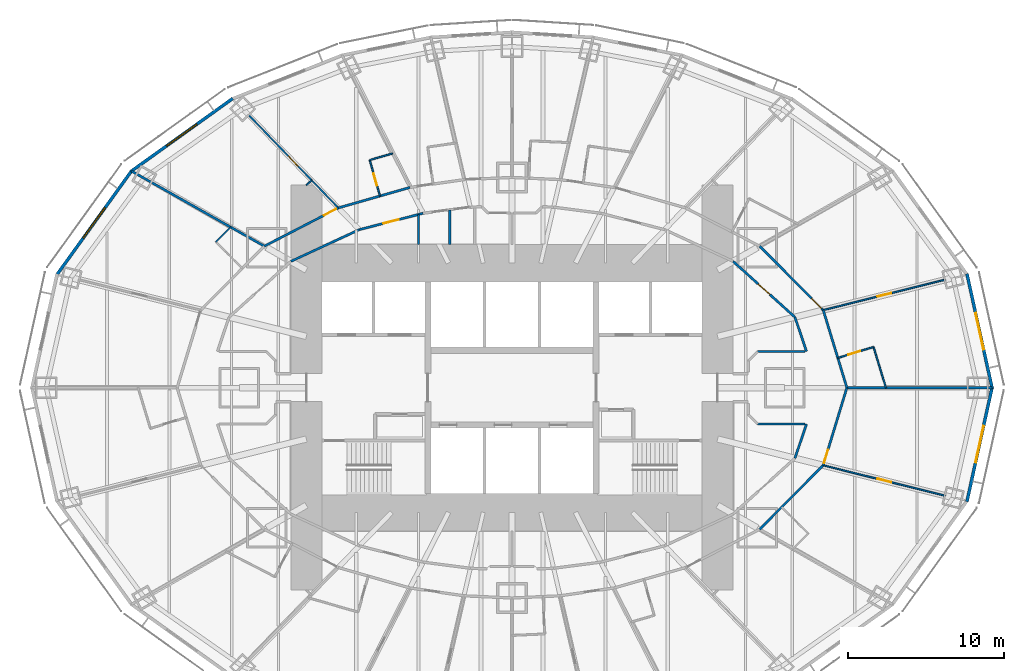
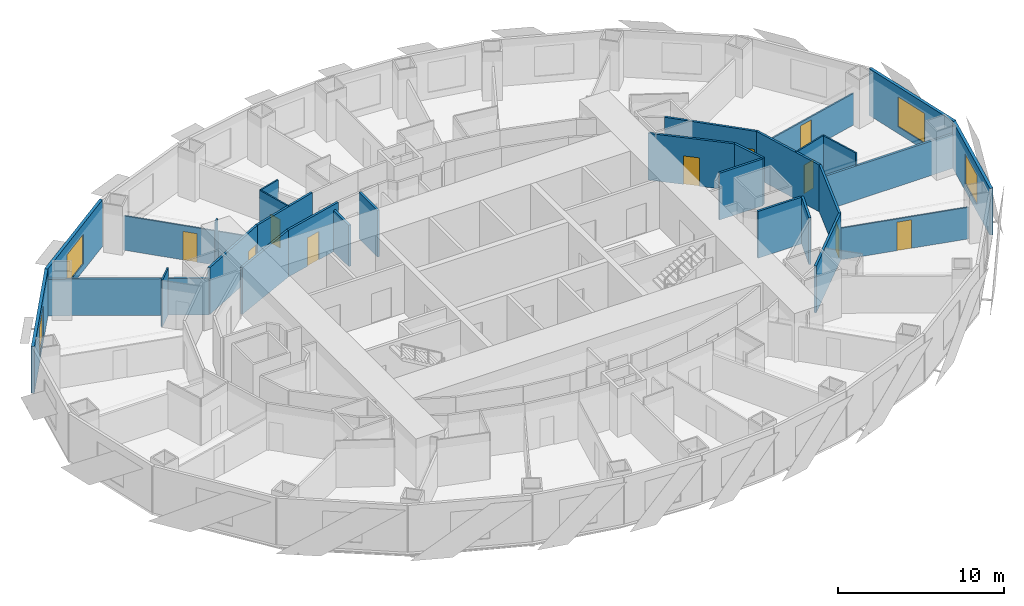
# One storey, part 8 of 15: 30 walls, 10 doors, 4 windows, 14 openings.
"""IFC4 building model written with IfcOpenShell, lengths in metres."""

import ifcopenshell
import ifcopenshell.guid

model = None  # the IFC model being written
_history = None  # IfcOwnerHistory: only IFC2X3 demands one
_inside = {}  # id of a spatial element -> (the spatial element, [elements in it])
_under = {}  # id of a project, library or spatial element -> (it, [spatial elements below it])
_declared = {}  # id of a project -> (the project, [libraries it declares])
_typed = {}  # id of a type object -> (the type object, [elements of that type])
_made_of = {}  # id of a material, layer set ... -> (it, [elements and type objects made of it])


def new_model(schema):
    """Start an empty IFC model of exactly this schema.

    Asked for "IFC4X3", IfcOpenShell would pick the latest addendum, in which some entities
    have other attributes; the version numbers below select the first issue.
    IFC2X3 requires an IfcOwnerHistory on every rooted entity: one is made here for all.
    """
    global model, _history
    if schema == "IFC4X3":
        model = ifcopenshell.file(schema_version=(4, 3, 0, 0))
    else:
        model = ifcopenshell.file(schema=schema)
    _inside.clear()
    _under.clear()
    _declared.clear()
    _typed.clear()
    _made_of.clear()
    _history = None
    if model.schema == "IFC2X3":
        org = make("IfcOrganization", Name="unknown")
        user = make(
            "IfcPersonAndOrganization",
            ThePerson=make("IfcPerson", FamilyName="unknown"),
            TheOrganization=org,
        )
        app = make(
            "IfcApplication",
            ApplicationDeveloper=org,
            Version="unknown",
            ApplicationFullName="unknown",
            ApplicationIdentifier="unknown",
        )
        _history = make(
            "IfcOwnerHistory",
            OwningUser=user,
            OwningApplication=app,
            ChangeAction="ADDED",
            CreationDate=0,
        )
    return model


def make(cls, **values):
    """One entity of the class cls with the attributes given. An attribute that is None is left unset."""
    return model.create_entity(
        cls, **{name: value for name, value in values.items() if value is not None}
    )


def rooted(cls, **values):
    """An entity with a GlobalId (a new one), such as an element, a storey or a relation."""
    return make(cls, GlobalId=ifcopenshell.guid.new(), OwnerHistory=_history, **values)


def si_unit(unit_type, name, prefix=None):
    """IfcSIUnit, for example si_unit("LENGTHUNIT", "METRE", prefix="MILLI")."""
    return make("IfcSIUnit", UnitType=unit_type, Prefix=prefix, Name=name)


def assignment(units):
    """IfcUnitAssignment: the units of a project."""
    return None if units is None else make("IfcUnitAssignment", Units=units)


def point(xyz):
    """IfcCartesianPoint."""
    return None if xyz is None else make("IfcCartesianPoint", Coordinates=xyz)


def direction(xyz):
    """IfcDirection."""
    return None if xyz is None else make("IfcDirection", DirectionRatios=xyz)


def frame(location, z_axis=None, x_axis=None):
    """IfcAxis2Placement3D, a coordinate frame: its origin and axes. An axis left out is left unset."""
    return make(
        "IfcAxis2Placement3D",
        Location=point(location),
        Axis=direction(z_axis),
        RefDirection=direction(x_axis),
    )


def frame_2d(location, x_axis=None):
    """IfcAxis2Placement2D, a coordinate frame in the plane: its origin and x axis."""
    return make(
        "IfcAxis2Placement2D", Location=point(location), RefDirection=direction(x_axis)
    )


def origin():
    """The frame at (0, 0, 0) with its axes left unset."""
    return frame((0.0, 0.0, 0.0))


def place(relative_to, where):
    """IfcLocalPlacement: puts the frame where relative to a parent placement (None: the world)."""
    return make(
        "IfcLocalPlacement", PlacementRelTo=relative_to, RelativePlacement=where
    )


def context(
    kind, dimensions, precision=None, world=None, true_north=None, identifier=None
):
    """IfcGeometricRepresentationContext, for example the 3D "Model" context."""
    return make(
        "IfcGeometricRepresentationContext",
        ContextIdentifier=identifier,
        ContextType=kind,
        CoordinateSpaceDimension=dimensions,
        Precision=precision,
        WorldCoordinateSystem=world,
        TrueNorth=true_north,
    )


def subcontext(parent, identifier, kind, view, scale=None):
    """IfcGeometricRepresentationSubContext, for example "Body" below "Model"."""
    return make(
        "IfcGeometricRepresentationSubContext",
        ContextIdentifier=identifier,
        ContextType=kind,
        ParentContext=parent,
        TargetScale=scale,
        TargetView=view,
    )


def project(units=None, contexts=None):
    """IfcProject with its units and contexts."""
    return rooted(
        "IfcProject",
        Name="project",
        RepresentationContexts=contexts,
        UnitsInContext=assignment(units),
    )


def spatial(cls, under=None, at=None, **own):
    """A site, building, storey or space (cls), placed at a placement, below another one or the project."""
    s = rooted(cls, ObjectPlacement=at, **own)
    if under is not None:
        _under.setdefault(under.id(), (under, []))[1].append(s)
    return s


def profile(cls, at=None, kind="AREA", **sizes):
    """A parametric profile (cls). Its sizes go by their IFC names, for example OverallWidth=200.0."""
    return make(cls, ProfileType=kind, Position=at, **sizes)


def rectangle(**sizes):
    """IfcRectangleProfileDef."""
    return profile("IfcRectangleProfileDef", **sizes)


def extrude(swept, where, along, depth):
    """IfcExtrudedAreaSolid: the profile swept, set in the frame where, extruded along a direction by depth."""
    return make(
        "IfcExtrudedAreaSolid",
        SweptArea=swept,
        Position=where,
        ExtrudedDirection=direction(along),
        Depth=depth,
    )


def shape(context_of_items, identifier, shape_type, items):
    """IfcShapeRepresentation: the items that make up one representation, for example the "Body"."""
    return make(
        "IfcShapeRepresentation",
        ContextOfItems=context_of_items,
        RepresentationIdentifier=identifier,
        RepresentationType=shape_type,
        Items=items,
    )


def material(Name=None, Category=None):
    """IfcMaterial."""
    return make("IfcMaterial", Name=Name, Category=Category)


def layer(
    of_material, thickness, ventilated=None, Name=None, Category=None, Priority=None
):
    """IfcMaterialLayer: one layer of a wall or slab, of a material (None: an air gap)."""
    return make(
        "IfcMaterialLayer",
        Material=of_material,
        LayerThickness=thickness,
        IsVentilated=ventilated,
        Name=Name,
        Category=Category,
        Priority=Priority,
    )


def layer_set(layers, Name=None):
    """IfcMaterialLayerSet."""
    return make("IfcMaterialLayerSet", MaterialLayers=layers, LayerSetName=Name)


def made_of(thing, what):
    """Note that an element or type object is made of a material, layer set ...; save() writes the relation."""
    if what is not None:
        _made_of.setdefault(what.id(), (what, []))[1].append(thing)
    return thing


def type_object(cls, material=None, **own):
    """A type object (cls), such as IfcWallType, which elements share."""
    return made_of(rooted(cls, **own), material)


def element(
    cls,
    number,
    at=None,
    inside=None,
    cuts=None,
    type_object=None,
    material=None,
    context=None,
    identifier="Body",
    shape_type=None,
    held_by="IfcProductDefinitionShape",
    body=None,
    shapes=None,
    **own,
):
    """One element of the class cls, such as IfcWall. Its Tag is "e" and its number.

    at: its placement. inside: the storey or other place that contains it. cuts: it is an
    opening in that element (IfcRelVoidsElement). A single representation is given by context,
    identifier, shape_type and body (its items); several are given by shapes. held_by: the class
    of the entity that holds the representations. save() writes the other relations.
    """
    e = rooted(cls, Tag="e%d" % number, ObjectPlacement=at, **own)
    if body is not None:
        shapes = [shape(context, identifier, shape_type, body)]
    if shapes is not None:
        e.Representation = make(held_by, Representations=shapes)
    if inside is not None:
        _inside.setdefault(inside.id(), (inside, []))[1].append(e)
    if cuts is not None:
        rooted(
            "IfcRelVoidsElement", RelatingBuildingElement=cuts, RelatedOpeningElement=e
        )
    if type_object is not None:
        _typed.setdefault(type_object.id(), (type_object, []))[1].append(e)
    return made_of(e, material)


def fill(opening, filler):
    """IfcRelFillsElement: the door or window that sits in an opening."""
    return rooted(
        "IfcRelFillsElement",
        RelatingOpeningElement=opening,
        RelatedBuildingElement=filler,
    )


def aggregate(whole, parts):
    """IfcRelAggregates: a whole, such as a stair, and the parts it consists of."""
    return rooted("IfcRelAggregates", RelatingObject=whole, RelatedObjects=parts)


def save(model, path):
    """Write the relations noted so far, then the file.

    IfcRelAggregates (storeys below a building ...), IfcRelContainedInSpatialStructure (elements
    in a storey), IfcRelDefinesByType, IfcRelAssociatesMaterial and IfcRelDeclares: one each for
    every whole, place, type object, material and project.
    """
    for whole, parts in _under.values():
        aggregate(whole, parts)
    for where, things in _inside.values():
        rooted(
            "IfcRelContainedInSpatialStructure",
            RelatedElements=things,
            RelatingStructure=where,
        )
    for kind, things in _typed.values():
        rooted("IfcRelDefinesByType", RelatedObjects=things, RelatingType=kind)
    for what, things in _made_of.values():
        rooted("IfcRelAssociatesMaterial", RelatedObjects=things, RelatingMaterial=what)
    for by, libraries in _declared.values():
        rooted("IfcRelDeclares", RelatingContext=by, RelatedDefinitions=libraries)
    model.write(path)


model = new_model("IFC4")

# Units and contexts
model_context = context("Model", 3, precision=1e-05, world=origin(), true_north=direction((0.0, 1.0)))
body_context = subcontext(model_context, "Body", "Model", "MODEL_VIEW")
ifc_project = project(units=[si_unit("LENGTHUNIT", "METRE"), si_unit("AREAUNIT", "SQUARE_METRE"), si_unit("VOLUMEUNIT", "CUBIC_METRE"), si_unit("PLANEANGLEUNIT", "RADIAN"), si_unit("MASSUNIT", "GRAM", prefix="KILO")], contexts=[model_context])

# Site, building, storey
site_placement = place(None, origin())
site = spatial("IfcSite", under=ifc_project, at=site_placement, CompositionType="ELEMENT")
building_placement = place(site_placement, origin())
building = spatial("IfcBuilding", under=site, at=building_placement, Name="Lantaw Convention Tower", CompositionType="ELEMENT")
storey_placement = place(building_placement, frame((0.0, 0.0, 55.0)))
storey = spatial("IfcBuildingStorey", under=building, at=storey_placement, Name="L11", CompositionType="ELEMENT", Elevation=55.0)

# Wall, opening, door
ifc_material_1 = material(Name="Moisture resistant gypsum board on steel studs", Category="steel")
ifc_layer_1 = layer(ifc_material_1, 0.10009765625)
ifc_layer_set_1 = layer_set([ifc_layer_1], Name="Bathroom wall 100")
wall_type_1 = type_object("IfcWallType", Name="Bathroom wall 100", PredefinedType="PARTITIONING", material=ifc_layer_set_1)
wall_1_placement = place(storey_placement, frame((20.917236328125, 1.9130859375, 0.0), z_axis=(0.0, 0.0, 1.0), x_axis=(0.956591303063, 0.291432803411, 0.0)))
wall_1 = element("IfcWall", 1, at=wall_1_placement, inside=storey, type_object=wall_type_1, Name="Bathroom wall 100", PredefinedType="PARTITIONING", context=body_context, shape_type="SweptSolid", body=[
    extrude(rectangle(XDim=2.400146484375, YDim=0.10009765625, at=frame_2d((1.2001953125, 0.0))), origin(), (0.0, 0.0, 1.0), 3.449951171875),
])
opening_1_placement = place(wall_1_placement, frame((0.699951171875, 0.0, 0.0)))
opening_1 = element("IfcOpeningElement", 2, at=opening_1_placement, cuts=wall_1, Name="Opening L11.27", PredefinedType="OPENING", context=body_context, shape_type="SweptSolid", body=[
    extrude(rectangle(XDim=0.800048828125, YDim=2.10009765625, at=frame_2d((0.39990234375, 1.050048828125))), frame((0.0, 0.06005859375, 0.0), z_axis=(0.0, -1.0, 0.0), x_axis=(1.0, 0.0, 0.0)), (0.0, 0.0, 1.0), 0.1201171875),
])
ifc_material_2 = material(Name="Timber", Category="wood")
door_type_1 = type_object("IfcDoorType", Name="Bathroom door 800", OperationType="SINGLE_SWING_LEFT", PredefinedType="DOOR", material=ifc_material_2)
door_1_placement = place(opening_1_placement, origin())
door_1 = element("IfcDoor", 3, at=door_1_placement, inside=storey, type_object=door_type_1, Name="Bathroom door", OperationType="SINGLE_SWING_LEFT", OverallHeight=2.10009765625, OverallWidth=0.800048828125, PredefinedType="DOOR", context=body_context, shape_type="SweptSolid", body=[
    extrude(rectangle(XDim=0.800048828125, YDim=2.10009765625, at=frame_2d((0.39990234375, 1.050048828125))), frame((0.0, 0.02490234375, 0.0), z_axis=(0.0, -1.0, 0.0), x_axis=(1.0, 0.0, 0.0)), (0.0, 0.0, 1.0), 0.050048828125),
])
fill(opening_1, door_1)

# Wall
wall_2_placement = place(storey_placement, frame((23.213134765625, 2.612548828125, 0.0), z_axis=(0.0, 0.0, 1.0), x_axis=(0.291339473488, -0.956619731757, 0.0)))
element("IfcWall", 4, at=wall_2_placement, inside=storey, type_object=wall_type_1, Name="Bathroom wall 100", PredefinedType="PARTITIONING", context=body_context, shape_type="SweptSolid", body=[
    extrude(rectangle(XDim=2.73095703125, YDim=0.10009765625, at=frame_2d((1.365478515625, 0.0))), origin(), (0.0, 0.0, 1.0), 3.449951171875),
])

# Wall, opening, door
wall_3_placement = place(storey_placement, frame((-8.474365234375, 12.30810546875, 0.0), z_axis=(0.0, 0.0, 1.0), x_axis=(-0.27497640313, 0.961450975205, 0.0)))
wall_3 = element("IfcWall", 5, at=wall_3_placement, inside=storey, type_object=wall_type_1, Name="Bathroom wall 100", PredefinedType="PARTITIONING", context=body_context, shape_type="SweptSolid", body=[
    extrude(rectangle(XDim=2.39990234375, YDim=0.10009765625, at=frame_2d((1.199951171875, 0.0))), origin(), (0.0, 0.0, 1.0), 3.449951171875),
])
opening_2_placement = place(wall_3_placement, frame((0.699951171875, 0.0, 0.0)))
opening_2 = element("IfcOpeningElement", 6, at=opening_2_placement, cuts=wall_3, Name="Opening L11.40", PredefinedType="OPENING", context=body_context, shape_type="SweptSolid", body=[
    extrude(rectangle(XDim=0.800048828125, YDim=2.10009765625, at=frame_2d((0.39990234375, 1.050048828125))), frame((0.0, 0.06005859375, 0.0), z_axis=(0.0, -1.0, 0.0), x_axis=(1.0, 0.0, 0.0)), (0.0, 0.0, 1.0), 0.1201171875),
])
door_2_placement = place(opening_2_placement, origin())
door_2 = element("IfcDoor", 7, at=door_2_placement, inside=storey, type_object=door_type_1, Name="Bathroom door", OperationType="SINGLE_SWING_LEFT", OverallHeight=2.10009765625, OverallWidth=0.800048828125, PredefinedType="DOOR", context=body_context, shape_type="SweptSolid", body=[
    extrude(rectangle(XDim=0.800048828125, YDim=2.10009765625, at=frame_2d((0.39990234375, 1.050048828125))), frame((0.0, 0.02490234375, 0.0), z_axis=(0.0, -1.0, 0.0), x_axis=(1.0, 0.0, 0.0)), (0.0, 0.0, 1.0), 0.050048828125),
])
fill(opening_2, door_2)

# Walls
wall_4_placement = place(storey_placement, frame((-9.13427734375, 14.615478515625, 0.0), z_axis=(0.0, 0.0, 1.0), x_axis=(0.96145775668, 0.274952690695, 0.0)))
element("IfcWall", 8, at=wall_4_placement, inside=storey, type_object=wall_type_1, Name="Bathroom wall 100", PredefinedType="PARTITIONING", context=body_context, shape_type="SweptSolid", body=[
    extrude(rectangle(XDim=1.53173828125, YDim=0.10009765625, at=frame_2d((0.765869140625, 0.0))), origin(), (0.0, 0.0, 1.0), 3.449951171875),
])
wall_5_placement = place(storey_placement, frame((-19.01318359375, 9.3603515625, 0.0), z_axis=(0.0, 0.0, 1.0), x_axis=(0.7051187611, 0.709089227633, 0.0)))
element("IfcWall", 9, at=wall_5_placement, inside=storey, type_object=wall_type_1, Name="Bathroom wall 100", PredefinedType="PARTITIONING", context=body_context, shape_type="SweptSolid", body=[
    extrude(rectangle(XDim=1.352783203125, YDim=0.10009765625, at=frame_2d((0.67626953125, 0.0))), origin(), (0.0, 0.0, 1.0), 3.449951171875),
])
ifc_material_3 = material(Name="Gypsum board on steel studs, fire rated", Category="steel")
ifc_layer_2 = layer(ifc_material_3, 0.14990234375)
ifc_layer_set_2 = layer_set([ifc_layer_2], Name="Corridor wall 150 EI 60")
wall_type_2 = type_object("IfcWallType", Name="Corridor wall 150 EI 60", PredefinedType="PARTITIONING", material=ifc_layer_set_2)
wall_6_placement = place(storey_placement, frame((21.5, 0.0, 0.0), z_axis=(0.0, 0.0, 1.0), x_axis=(-0.291383581394, 0.95660629754, 0.0)))
element("IfcWall", 10, at=wall_6_placement, inside=storey, type_object=wall_type_2, Name="Corridor wall 150", PredefinedType="PARTITIONING", context=body_context, shape_type="SweptSolid", body=[
    extrude(rectangle(XDim=5.208251953125, YDim=0.14990234375, at=frame_2d((2.60400390625, 0.0))), origin(), (0.0, 0.0, 1.0), 3.449951171875),
])

# Wall, opening, door
wall_7_placement = place(storey_placement, frame((19.982421875, 4.982177734375, 0.0), z_axis=(0.0, 0.0, 1.0), x_axis=(-0.705121546414, 0.709086457904, 0.0)))
wall_7 = element("IfcWall", 11, at=wall_7_placement, inside=storey, type_object=wall_type_2, Name="Corridor wall 150", PredefinedType="PARTITIONING", context=body_context, shape_type="SweptSolid", body=[
    extrude(rectangle(XDim=5.7880859375, YDim=0.14990234375, at=frame_2d((2.89404296875, 0.0))), origin(), (0.0, 0.0, 1.0), 3.449951171875),
])
opening_3_placement = place(wall_7_placement, frame((0.14990234375, 0.0, 0.0)))
opening_3 = element("IfcOpeningElement", 12, at=opening_3_placement, cuts=wall_7, Name="Opening L11.29", PredefinedType="OPENING", context=body_context, shape_type="SweptSolid", body=[
    extrude(rectangle(XDim=0.89990234375, YDim=2.10009765625, at=frame_2d((0.449951171875, 1.050048828125))), frame((0.0, 0.0849609375, 0.0), z_axis=(0.0, -1.0, 0.0), x_axis=(1.0, 0.0, 0.0)), (0.0, 0.0, 1.0), 0.169921875),
])
ifc_material_4 = material(Name="Steel, fire rated", Category="steel")
door_type_2 = type_object("IfcDoorType", Name="Guest room entrance door FD30S", OperationType="SINGLE_SWING_LEFT", PredefinedType="DOOR", material=ifc_material_4)
door_3_placement = place(opening_3_placement, origin())
door_3 = element("IfcDoor", 13, at=door_3_placement, inside=storey, type_object=door_type_2, Name="Suite entrance door", OperationType="SINGLE_SWING_LEFT", OverallHeight=2.10009765625, OverallWidth=0.89990234375, PredefinedType="DOOR", context=body_context, shape_type="SweptSolid", body=[
    extrude(rectangle(XDim=0.89990234375, YDim=2.10009765625, at=frame_2d((0.449951171875, 1.050048828125))), frame((0.0, 0.02490234375, 0.0), z_axis=(0.0, -1.0, 0.0), x_axis=(1.0, 0.0, 0.0)), (0.0, 0.0, 1.0), 0.050048828125),
])
fill(opening_3, door_3)

# Wall
wall_8_placement = place(storey_placement, frame((-6.551513671875, 12.85791015625, 0.0), z_axis=(0.0, 0.0, 1.0), x_axis=(-0.961464178199, -0.27493023486, 0.0)))
element("IfcWall", 14, at=wall_8_placement, inside=storey, type_object=wall_type_2, Name="Corridor wall 150", PredefinedType="PARTITIONING", context=body_context, shape_type="SweptSolid", body=[
    extrude(rectangle(XDim=4.7802734375, YDim=0.14990234375, at=frame_2d((2.39013671875, 0.0))), origin(), (0.0, 0.0, 1.0), 3.449951171875),
])

# Wall, opening, door
wall_9_placement = place(storey_placement, frame((-11.1474609375, 11.543701171875, 0.0), z_axis=(0.0, 0.0, 1.0), x_axis=(-0.888333171507, -0.459199495209, 0.0)))
wall_9 = element("IfcWall", 15, at=wall_9_placement, inside=storey, type_object=wall_type_2, Name="Corridor wall 150", PredefinedType="PARTITIONING", context=body_context, shape_type="SweptSolid", body=[
    extrude(rectangle(XDim=5.351318359375, YDim=0.14990234375, at=frame_2d((2.67578125, 0.0))), origin(), (0.0, 0.0, 1.0), 3.449951171875),
])
opening_4_placement = place(wall_9_placement, frame((0.14990234375, 0.0, 0.0)))
opening_4 = element("IfcOpeningElement", 16, at=opening_4_placement, cuts=wall_9, Name="Opening L11.42", PredefinedType="OPENING", context=body_context, shape_type="SweptSolid", body=[
    extrude(rectangle(XDim=0.89990234375, YDim=2.10009765625, at=frame_2d((0.449951171875, 1.050048828125))), frame((0.0, 0.0849609375, 0.0), z_axis=(0.0, -1.0, 0.0), x_axis=(1.0, 0.0, 0.0)), (0.0, 0.0, 1.0), 0.169921875),
])
door_4_placement = place(opening_4_placement, origin())
door_4 = element("IfcDoor", 17, at=door_4_placement, inside=storey, type_object=door_type_2, Name="Suite entrance door", OperationType="SINGLE_SWING_LEFT", OverallHeight=2.10009765625, OverallWidth=0.89990234375, PredefinedType="DOOR", context=body_context, shape_type="SweptSolid", body=[
    extrude(rectangle(XDim=0.89990234375, YDim=2.10009765625, at=frame_2d((0.449951171875, 1.050048828125))), frame((0.0, 0.02490234375, 0.0), z_axis=(0.0, -1.0, 0.0), x_axis=(1.0, 0.0, 0.0)), (0.0, 0.0, 1.0), 0.050048828125),
])
fill(opening_4, door_4)

# Wall
wall_10_placement = place(storey_placement, frame((15.901123046875, -9.08642578125, 0.0), z_axis=(0.0, 0.0, 1.0), x_axis=(0.705121546414, 0.709086457904, 0.0)))
element("IfcWall", 18, at=wall_10_placement, inside=storey, type_object=wall_type_2, Name="Corridor wall 150", PredefinedType="PARTITIONING", context=body_context, shape_type="SweptSolid", body=[
    extrude(rectangle(XDim=5.7880859375, YDim=0.14990234375, at=frame_2d((2.89404296875, 0.0))), origin(), (0.0, 0.0, 1.0), 3.449951171875),
])

# Wall, opening, door
wall_11_placement = place(storey_placement, frame((19.982421875, -4.982177734375, 0.0), z_axis=(0.0, 0.0, 1.0), x_axis=(0.291383581394, 0.95660629754, 0.0)))
wall_11 = element("IfcWall", 19, at=wall_11_placement, inside=storey, type_object=wall_type_2, Name="Corridor wall 150", PredefinedType="PARTITIONING", context=body_context, shape_type="SweptSolid", body=[
    extrude(rectangle(XDim=5.208251953125, YDim=0.14990234375, at=frame_2d((2.60400390625, 0.0))), origin(), (0.0, 0.0, 1.0), 3.449951171875),
])
opening_5_placement = place(wall_11_placement, frame((0.14990234375, 0.0, 0.0)))
opening_5 = element("IfcOpeningElement", 20, at=opening_5_placement, cuts=wall_11, Name="Opening L11.63", PredefinedType="OPENING", context=body_context, shape_type="SweptSolid", body=[
    extrude(rectangle(XDim=0.89990234375, YDim=2.10009765625, at=frame_2d((0.449951171875, 1.050048828125))), frame((0.0, 0.0849609375, 0.0), z_axis=(0.0, -1.0, 0.0), x_axis=(1.0, 0.0, 0.0)), (0.0, 0.0, 1.0), 0.169921875),
])
door_5_placement = place(opening_5_placement, origin())
door_5 = element("IfcDoor", 21, at=door_5_placement, inside=storey, type_object=door_type_2, Name="Suite entrance door", OperationType="SINGLE_SWING_LEFT", OverallHeight=2.10009765625, OverallWidth=0.89990234375, PredefinedType="DOOR", context=body_context, shape_type="SweptSolid", body=[
    extrude(rectangle(XDim=0.89990234375, YDim=2.10009765625, at=frame_2d((0.449951171875, 1.050048828125))), frame((0.0, 0.02490234375, 0.0), z_axis=(0.0, -1.0, 0.0), x_axis=(1.0, 0.0, 0.0)), (0.0, 0.0, 1.0), 0.050048828125),
])
fill(opening_5, door_5)

wall_12_placement = place(storey_placement, frame((18.164306640625, 4.52880859375, 0.0), z_axis=(0.0, 0.0, 1.0), x_axis=(-0.742194222, 0.670184852731, 0.0)))
wall_12 = element("IfcWall", 22, at=wall_12_placement, inside=storey, type_object=wall_type_2, Name="Corridor wall 150", PredefinedType="PARTITIONING", context=body_context, shape_type="SweptSolid", body=[
    extrude(rectangle(XDim=5.3466796875, YDim=0.14990234375, at=frame_2d((2.67333984375, 0.0))), origin(), (0.0, 0.0, 1.0), 3.449951171875),
])
opening_6_placement = place(wall_12_placement, frame((2.17333984375, 0.0, 0.0)))
opening_6 = element("IfcOpeningElement", 23, at=opening_6_placement, cuts=wall_12, Name="Opening L11.16", PredefinedType="OPENING", context=body_context, shape_type="SweptSolid", body=[
    extrude(rectangle(XDim=1.0, YDim=2.10009765625, at=frame_2d((0.5, 1.050048828125))), frame((0.0, 0.0849609375, 0.0), z_axis=(0.0, -1.0, 0.0), x_axis=(1.0, 0.0, 0.0)), (0.0, 0.0, 1.0), 0.169921875),
])
door_type_3 = type_object("IfcDoorType", Name="Service door 1000 FD30", OperationType="SINGLE_SWING_LEFT", PredefinedType="DOOR", material=ifc_material_4)
door_6_placement = place(opening_6_placement, origin())
door_6 = element("IfcDoor", 24, at=door_6_placement, inside=storey, type_object=door_type_3, Name="Linen store door", OperationType="SINGLE_SWING_LEFT", OverallHeight=2.10009765625, OverallWidth=1.0, PredefinedType="DOOR", context=body_context, shape_type="SweptSolid", body=[
    extrude(rectangle(XDim=1.0, YDim=2.10009765625, at=frame_2d((0.5, 1.050048828125))), frame((0.0, 0.02490234375, 0.0), z_axis=(0.0, -1.0, 0.0), x_axis=(1.0, 0.0, 0.0)), (0.0, 0.0, 1.0), 0.050048828125),
])
fill(opening_6, door_6)

wall_13_placement = place(storey_placement, frame((-5.705810546875, 11.198486328125, 0.0), z_axis=(0.0, 0.0, 1.0), x_axis=(-0.968705891355, -0.248211393886, 0.0)))
wall_13 = element("IfcWall", 25, at=wall_13_placement, inside=storey, type_object=wall_type_2, Name="Corridor wall 150", PredefinedType="PARTITIONING", context=body_context, shape_type="SweptSolid", body=[
    extrude(rectangle(XDim=4.2275390625, YDim=0.14990234375, at=frame_2d((2.11376953125, 0.0))), origin(), (0.0, 0.0, 1.0), 3.449951171875),
])
opening_7_placement = place(wall_13_placement, frame((1.620849609375, 0.0, 0.0)))
opening_7 = element("IfcOpeningElement", 26, at=opening_7_placement, cuts=wall_13, Name="Opening L11.22", PredefinedType="OPENING", context=body_context, shape_type="SweptSolid", body=[
    extrude(rectangle(XDim=1.0, YDim=2.10009765625, at=frame_2d((0.5, 1.050048828125))), frame((0.0, 0.0849609375, 0.0), z_axis=(0.0, -1.0, 0.0), x_axis=(1.0, 0.0, 0.0)), (0.0, 0.0, 1.0), 0.169921875),
])
door_7_placement = place(opening_7_placement, origin())
door_7 = element("IfcDoor", 27, at=door_7_placement, inside=storey, type_object=door_type_3, Name="Housekeeping room door", OperationType="SINGLE_SWING_LEFT", OverallHeight=2.10009765625, OverallWidth=1.0, PredefinedType="DOOR", context=body_context, shape_type="SweptSolid", body=[
    extrude(rectangle(XDim=1.0, YDim=2.10009765625, at=frame_2d((0.5, 1.050048828125))), frame((0.0, 0.02490234375, 0.0), z_axis=(0.0, -1.0, 0.0), x_axis=(1.0, 0.0, 0.0)), (0.0, 0.0, 1.0), 0.050048828125),
])
fill(opening_7, door_7)

# Walls
wall_14_placement = place(storey_placement, frame((-9.801025390625, 10.149169921875, 0.0), z_axis=(0.0, 0.0, 1.0), x_axis=(-0.907279653965, -0.420527798727, 0.0)))
element("IfcWall", 28, at=wall_14_placement, inside=storey, type_object=wall_type_2, Name="Corridor wall 150", PredefinedType="PARTITIONING", context=body_context, shape_type="SweptSolid", body=[
    extrude(rectangle(XDim=4.84423828125, YDim=0.14990234375, at=frame_2d((2.422119140625, 0.0))), origin(), (0.0, 0.0, 1.0), 3.449951171875),
])
for number, where, z_axis, x_axis, name in (
    (29, (18.908203125, 2.3349609375, 0.0), (0.0, 0.0, 1.0), (-0.321124194945, 0.947037090837, 0.0), "Corridor wall 150"),
    (30, (18.164306640625, -4.52880859375, 0.0), (0.0, 0.0, 1.0), (0.321124194945, 0.947037090837, 0.0), "Corridor wall 150"),
):
    element("IfcWall", number, at=place(storey_placement, frame(where, z_axis=z_axis, x_axis=x_axis)), inside=storey, type_object=wall_type_2, Name=name, PredefinedType="PARTITIONING", context=body_context, shape_type="SweptSolid", body=[
        extrude(rectangle(XDim=2.316650390625, YDim=0.14990234375, at=frame_2d((1.158203125, 0.0))), origin(), (0.0, 0.0, 1.0), 3.449951171875),
    ])
for number, where, z_axis, x_axis, name in (
    (31, (15.775390625, 2.324951171875, 0.0), (0.0, 0.0, 1.0), (1.0, 0.0, 0.0), "Corridor wall 150"),
    (32, (18.80078125, -2.324951171875, 0.0), (0.0, 0.0, 1.0), (-1.0, 0.0, 0.0), "Corridor wall 150"),
):
    element("IfcWall", number, at=place(storey_placement, frame(where, z_axis=z_axis, x_axis=x_axis)), inside=storey, type_object=wall_type_2, Name=name, PredefinedType="PARTITIONING", context=body_context, shape_type="SweptSolid", body=[
        extrude(rectangle(XDim=3.025390625, YDim=0.14990234375, at=frame_2d((1.5126953125, 0.0))), origin(), (0.0, 0.0, 1.0), 3.449951171875),
    ])

# Wall, opening, window
ifc_material_5 = material(Name="Insulated aluminium panel on steel frame", Category="steel")
ifc_layer_3 = layer(ifc_material_5, 0.199951171875)
ifc_layer_set_3 = layer_set([ifc_layer_3], Name="External wall 200")
wall_type_3 = type_object("IfcWallType", Name="External wall 200", PredefinedType="SOLIDWALL", material=ifc_layer_set_3)
wall_15_placement = place(storey_placement, frame((30.83544921875, -0.06689453125, 0.0), z_axis=(0.0, 0.0, 1.0), x_axis=(-0.215238065514, 0.976561608478, 0.0)))
wall_15 = element("IfcWall", 33, at=wall_15_placement, inside=storey, type_object=wall_type_3, Name="Facade panel wall", PredefinedType="SOLIDWALL", context=body_context, shape_type="SweptSolid", body=[
    extrude(rectangle(XDim=7.562255859375, YDim=0.199951171875, at=frame_2d((3.78125, 0.0))), origin(), (0.0, 0.0, 1.0), 3.449951171875),
])
opening_8_placement = place(wall_15_placement, frame((2.581298828125, 0.0, 0.5)))
opening_8 = element("IfcOpeningElement", 34, at=opening_8_placement, cuts=wall_15, Name="Opening W1", PredefinedType="OPENING", context=body_context, shape_type="SweptSolid", body=[
    extrude(rectangle(XDim=2.39990234375, YDim=2.199951171875, at=frame_2d((1.199951171875, 1.10009765625))), frame((0.0, 0.10986328125, 0.0), z_axis=(0.0, -1.0, 0.0), x_axis=(1.0, 0.0, 0.0)), (0.0, 0.0, 1.0), 0.219970703125),
])
ifc_material_6 = material(Name="Aluminium frame, clear insulating glass", Category="aluminium")
window_type = type_object("IfcWindowType", Name="Guest room window 2400x2200", PartitioningType="SINGLE_PANEL", PredefinedType="WINDOW", material=ifc_material_6)
window_1_placement = place(opening_8_placement, origin())
window_1 = element("IfcWindow", 35, at=window_1_placement, inside=storey, type_object=window_type, Name="Guest room window", OverallHeight=2.199951171875, OverallWidth=2.39990234375, PartitioningType="SINGLE_PANEL", PredefinedType="WINDOW", context=body_context, shape_type="SweptSolid", body=[
    extrude(rectangle(XDim=2.39990234375, YDim=2.199951171875, at=frame_2d((1.199951171875, 1.10009765625))), frame((0.0, 0.030029296875, 0.0), z_axis=(0.0, -1.0, 0.0), x_axis=(1.0, 0.0, 0.0)), (0.0, 0.0, 1.0), 0.06005859375),
])
fill(opening_8, window_1)

wall_16_placement = place(storey_placement, frame((-17.9287109375, 18.57177734375, 0.0), z_axis=(0.0, 0.0, 1.0), x_axis=(-0.812791321576, -0.582554948112, 0.0)))
wall_16 = element("IfcWall", 36, at=wall_16_placement, inside=storey, type_object=wall_type_3, Name="Facade panel wall", PredefinedType="SOLIDWALL", context=body_context, shape_type="SweptSolid", body=[
    extrude(rectangle(XDim=8.063232421875, YDim=0.199951171875, at=frame_2d((4.03173828125, 0.0))), origin(), (0.0, 0.0, 1.0), 3.449951171875),
])
opening_9_placement = place(wall_16_placement, frame((2.83154296875, 0.0, 0.5)))
opening_9 = element("IfcOpeningElement", 37, at=opening_9_placement, cuts=wall_16, Name="Opening W1", PredefinedType="OPENING", context=body_context, shape_type="SweptSolid", body=[
    extrude(rectangle(XDim=2.39990234375, YDim=2.199951171875, at=frame_2d((1.199951171875, 1.10009765625))), frame((0.0, 0.10986328125, 0.0), z_axis=(0.0, -1.0, 0.0), x_axis=(1.0, 0.0, 0.0)), (0.0, 0.0, 1.0), 0.219970703125),
])
window_2_placement = place(opening_9_placement, origin())
window_2 = element("IfcWindow", 38, at=window_2_placement, inside=storey, type_object=window_type, Name="Guest room window", OverallHeight=2.199951171875, OverallWidth=2.39990234375, PartitioningType="SINGLE_PANEL", PredefinedType="WINDOW", context=body_context, shape_type="SweptSolid", body=[
    extrude(rectangle(XDim=2.39990234375, YDim=2.199951171875, at=frame_2d((1.199951171875, 1.10009765625))), frame((0.0, 0.030029296875, 0.0), z_axis=(0.0, -1.0, 0.0), x_axis=(1.0, 0.0, 0.0)), (0.0, 0.0, 1.0), 0.06005859375),
])
fill(opening_9, window_2)

wall_17_placement = place(storey_placement, frame((-24.400390625, 13.95654296875, 0.0), z_axis=(0.0, 0.0, 1.0), x_axis=(-0.583937613703, -0.811798536155, 0.0)))
wall_17 = element("IfcWall", 39, at=wall_17_placement, inside=storey, type_object=wall_type_3, Name="Facade panel wall", PredefinedType="SOLIDWALL", context=body_context, shape_type="SweptSolid", body=[
    extrude(rectangle(XDim=8.322998046875, YDim=0.199951171875, at=frame_2d((4.16162109375, 0.0))), origin(), (0.0, 0.0, 1.0), 3.449951171875),
])
opening_10_placement = place(wall_17_placement, frame((2.96142578125, 0.0, 0.5)))
opening_10 = element("IfcOpeningElement", 40, at=opening_10_placement, cuts=wall_17, Name="Opening W1", PredefinedType="OPENING", context=body_context, shape_type="SweptSolid", body=[
    extrude(rectangle(XDim=2.39990234375, YDim=2.199951171875, at=frame_2d((1.199951171875, 1.10009765625))), frame((0.0, 0.10986328125, 0.0), z_axis=(0.0, -1.0, 0.0), x_axis=(1.0, 0.0, 0.0)), (0.0, 0.0, 1.0), 0.219970703125),
])
window_3_placement = place(opening_10_placement, origin())
window_3 = element("IfcWindow", 41, at=window_3_placement, inside=storey, type_object=window_type, Name="Guest room window", OverallHeight=2.199951171875, OverallWidth=2.39990234375, PartitioningType="SINGLE_PANEL", PredefinedType="WINDOW", context=body_context, shape_type="SweptSolid", body=[
    extrude(rectangle(XDim=2.39990234375, YDim=2.199951171875, at=frame_2d((1.199951171875, 1.10009765625))), frame((0.0, 0.030029296875, 0.0), z_axis=(0.0, -1.0, 0.0), x_axis=(1.0, 0.0, 0.0)), (0.0, 0.0, 1.0), 0.06005859375),
])
fill(opening_10, window_3)

wall_18_placement = place(storey_placement, frame((29.207763671875, -7.318115234375, 0.0), z_axis=(0.0, 0.0, 1.0), x_axis=(0.215238065514, 0.976561608478, 0.0)))
wall_18 = element("IfcWall", 42, at=wall_18_placement, inside=storey, type_object=wall_type_3, Name="Facade panel wall", PredefinedType="SOLIDWALL", context=body_context, shape_type="SweptSolid", body=[
    extrude(rectangle(XDim=7.562255859375, YDim=0.199951171875, at=frame_2d((3.78125, 0.0))), origin(), (0.0, 0.0, 1.0), 3.449951171875),
])
opening_11_placement = place(wall_18_placement, frame((2.581298828125, 0.0, 0.5)))
opening_11 = element("IfcOpeningElement", 43, at=opening_11_placement, cuts=wall_18, Name="Opening W1", PredefinedType="OPENING", context=body_context, shape_type="SweptSolid", body=[
    extrude(rectangle(XDim=2.39990234375, YDim=2.199951171875, at=frame_2d((1.199951171875, 1.10009765625))), frame((0.0, 0.10986328125, 0.0), z_axis=(0.0, -1.0, 0.0), x_axis=(1.0, 0.0, 0.0)), (0.0, 0.0, 1.0), 0.219970703125),
])
window_4_placement = place(opening_11_placement, origin())
window_4 = element("IfcWindow", 44, at=window_4_placement, inside=storey, type_object=window_type, Name="Guest room window", OverallHeight=2.199951171875, OverallWidth=2.39990234375, PartitioningType="SINGLE_PANEL", PredefinedType="WINDOW", context=body_context, shape_type="SweptSolid", body=[
    extrude(rectangle(XDim=2.39990234375, YDim=2.199951171875, at=frame_2d((1.199951171875, 1.10009765625))), frame((0.0, 0.030029296875, 0.0), z_axis=(0.0, -1.0, 0.0), x_axis=(1.0, 0.0, 0.0)), (0.0, 0.0, 1.0), 0.06005859375),
])
fill(opening_11, window_4)

# Walls
ifc_material_7 = material(Name="Gypsum board on steel studs, acoustic", Category="steel")
ifc_layer_4 = layer(ifc_material_7, 0.14990234375)
ifc_layer_set_4 = layer_set([ifc_layer_4], Name="Guest room party wall 150")
wall_type_4 = type_object("IfcWallType", Name="Guest room party wall 150", PredefinedType="PARTITIONING", material=ifc_layer_set_4)
wall_19_placement = place(storey_placement, frame((30.82080078125, 0.0, 0.0), z_axis=(0.0, 0.0, 1.0), x_axis=(-1.0, 0.0, 0.0)))
element("IfcWall", 45, at=wall_19_placement, inside=storey, type_object=wall_type_4, Name="Guest room party wall 150", PredefinedType="PARTITIONING", context=body_context, shape_type="SweptSolid", body=[
    extrude(rectangle(XDim=9.32080078125, YDim=0.14990234375, at=frame_2d((4.660400390625, 0.0))), origin(), (0.0, 0.0, 1.0), 2.528076171875),
])
wall_20_placement = place(storey_placement, frame((-24.434814453125, 13.90869140625, 0.0), z_axis=(0.0, 0.0, 1.0), x_axis=(0.870612006791, -0.491970256856, 0.0)))
element("IfcWall", 46, at=wall_20_placement, inside=storey, type_object=wall_type_4, Name="Guest room party wall 150", PredefinedType="PARTITIONING", context=body_context, shape_type="SweptSolid", body=[
    extrude(rectangle(XDim=9.802001953125, YDim=0.14990234375, at=frame_2d((4.90087890625, 0.0))), origin(), (0.0, 0.0, 1.0), 2.693115234375),
])
ifc_layer_5 = layer(ifc_material_7, 0.10009765625)
ifc_layer_set_5 = layer_set([ifc_layer_5], Name="Office partition 100")
wall_type_5 = type_object("IfcWallType", Name="Office partition 100", PredefinedType="PARTITIONING", material=ifc_layer_set_5)
wall_21_placement = place(storey_placement, frame((-13.199951171875, 13.0, 0.0), z_axis=(0.0, 0.0, 1.0), x_axis=(0.719347134512, 0.69465077562, 0.0)))
element("IfcWall", 47, at=wall_21_placement, inside=storey, type_object=wall_type_5, Name="Office partition 100", PredefinedType="PARTITIONING", context=body_context, shape_type="SweptSolid", body=[
    extrude(rectangle(XDim=0.464599609375, YDim=0.10009765625, at=frame_2d((0.232421875, 0.0))), origin(), (0.0, 0.0, 1.0), 3.449951171875),
])

# Wall, opening, door
ifc_material_8 = material(Name="Gypsum board on steel studs", Category="steel")
ifc_layer_6 = layer(ifc_material_8, 0.10009765625)
ifc_layer_set_6 = layer_set([ifc_layer_6], Name="Suite partition 100")
wall_type_6 = type_object("IfcWallType", Name="Suite partition 100", PredefinedType="PARTITIONING", material=ifc_layer_set_6)
wall_22_placement = place(storey_placement, frame((27.832763671875, 6.939453125, 0.0), z_axis=(0.0, 0.0, 1.0), x_axis=(-0.97029673161, -0.24191786339, 0.0)))
wall_22 = element("IfcWall", 48, at=wall_22_placement, inside=storey, type_object=wall_type_6, Name="Suite partition 100", PredefinedType="PARTITIONING", context=body_context, shape_type="SweptSolid", body=[
    extrude(rectangle(XDim=8.090576171875, YDim=0.10009765625, at=frame_2d((4.04541015625, 0.0))), origin(), (0.0, 0.0, 1.0), 2.33251953125),
])
opening_12_placement = place(wall_22_placement, frame((3.59521484375, 0.0, 0.0)))
opening_12 = element("IfcOpeningElement", 49, at=opening_12_placement, cuts=wall_22, Name="Opening L11.28", PredefinedType="OPENING", context=body_context, shape_type="SweptSolid", body=[
    extrude(rectangle(XDim=0.89990234375, YDim=2.10009765625, at=frame_2d((0.449951171875, 1.050048828125))), frame((0.0, 0.06005859375, 0.0), z_axis=(0.0, -1.0, 0.0), x_axis=(1.0, 0.0, 0.0)), (0.0, 0.0, 1.0), 0.1201171875),
])
door_type_4 = type_object("IfcDoorType", Name="Suite door 900", OperationType="SINGLE_SWING_LEFT", PredefinedType="DOOR", material=ifc_material_2)
door_8_placement = place(opening_12_placement, origin())
door_8 = element("IfcDoor", 50, at=door_8_placement, inside=storey, type_object=door_type_4, Name="Bedroom door", OperationType="SINGLE_SWING_LEFT", OverallHeight=2.10009765625, OverallWidth=0.89990234375, PredefinedType="DOOR", context=body_context, shape_type="SweptSolid", body=[
    extrude(rectangle(XDim=0.89990234375, YDim=2.10009765625, at=frame_2d((0.449951171875, 1.050048828125))), frame((0.0, 0.02490234375, 0.0), z_axis=(0.0, -1.0, 0.0), x_axis=(1.0, 0.0, 0.0)), (0.0, 0.0, 1.0), 0.050048828125),
])
fill(opening_12, door_8)

wall_23_placement = place(storey_placement, frame((-16.943603515625, 17.54541015625, 0.0), z_axis=(0.0, 0.0, 1.0), x_axis=(0.694680670522, -0.71931826475, 0.0)))
wall_23 = element("IfcWall", 51, at=wall_23_placement, inside=storey, type_object=wall_type_6, Name="Suite partition 100", PredefinedType="PARTITIONING", context=body_context, shape_type="SweptSolid", body=[
    extrude(rectangle(XDim=8.343505859375, YDim=0.10009765625, at=frame_2d((4.171875, 0.0))), origin(), (0.0, 0.0, 1.0), 2.528076171875),
])
opening_13_placement = place(wall_23_placement, frame((3.7216796875, 0.0, 0.0)))
opening_13 = element("IfcOpeningElement", 52, at=opening_13_placement, cuts=wall_23, Name="Opening L11.41", PredefinedType="OPENING", context=body_context, shape_type="SweptSolid", body=[
    extrude(rectangle(XDim=0.89990234375, YDim=2.10009765625, at=frame_2d((0.449951171875, 1.050048828125))), frame((0.0, 0.06005859375, 0.0), z_axis=(0.0, -1.0, 0.0), x_axis=(1.0, 0.0, 0.0)), (0.0, 0.0, 1.0), 0.1201171875),
])
door_9_placement = place(opening_13_placement, origin())
door_9 = element("IfcDoor", 53, at=door_9_placement, inside=storey, type_object=door_type_4, Name="Bedroom door", OperationType="SINGLE_SWING_LEFT", OverallHeight=2.10009765625, OverallWidth=0.89990234375, PredefinedType="DOOR", context=body_context, shape_type="SweptSolid", body=[
    extrude(rectangle(XDim=0.89990234375, YDim=2.10009765625, at=frame_2d((0.449951171875, 1.050048828125))), frame((0.0, 0.02490234375, 0.0), z_axis=(0.0, -1.0, 0.0), x_axis=(1.0, 0.0, 0.0)), (0.0, 0.0, 1.0), 0.050048828125),
])
fill(opening_13, door_9)

wall_24_placement = place(storey_placement, frame((27.832763671875, -6.939453125, 0.0), z_axis=(0.0, 0.0, 1.0), x_axis=(-0.97029673161, 0.24191786339, 0.0)))
wall_24 = element("IfcWall", 54, at=wall_24_placement, inside=storey, type_object=wall_type_6, Name="Suite partition 100", PredefinedType="PARTITIONING", context=body_context, shape_type="SweptSolid", body=[
    extrude(rectangle(XDim=8.090576171875, YDim=0.10009765625, at=frame_2d((4.04541015625, 0.0))), origin(), (0.0, 0.0, 1.0), 2.33251953125),
])
opening_14_placement = place(wall_24_placement, frame((3.59521484375, 0.0, 0.0)))
opening_14 = element("IfcOpeningElement", 55, at=opening_14_placement, cuts=wall_24, Name="Opening L11.62", PredefinedType="OPENING", context=body_context, shape_type="SweptSolid", body=[
    extrude(rectangle(XDim=0.89990234375, YDim=2.10009765625, at=frame_2d((0.449951171875, 1.050048828125))), frame((0.0, 0.06005859375, 0.0), z_axis=(0.0, -1.0, 0.0), x_axis=(1.0, 0.0, 0.0)), (0.0, 0.0, 1.0), 0.1201171875),
])
door_10_placement = place(opening_14_placement, origin())
door_10 = element("IfcDoor", 56, at=door_10_placement, inside=storey, type_object=door_type_4, Name="Bedroom door", OperationType="SINGLE_SWING_LEFT", OverallHeight=2.10009765625, OverallWidth=0.89990234375, PredefinedType="DOOR", context=body_context, shape_type="SweptSolid", body=[
    extrude(rectangle(XDim=0.89990234375, YDim=2.10009765625, at=frame_2d((0.449951171875, 1.050048828125))), frame((0.0, 0.02490234375, 0.0), z_axis=(0.0, -1.0, 0.0), x_axis=(1.0, 0.0, 0.0)), (0.0, 0.0, 1.0), 0.050048828125),
])
fill(opening_14, door_10)

# Walls
ifc_material_9 = material(Name="Concrete blockwork", Category="masonry")
ifc_layer_7 = layer(ifc_material_9, 0.14990234375)
ifc_layer_set_7 = layer_set([ifc_layer_7], Name="WC wall 150")
wall_type_7 = type_object("IfcWallType", Name="WC wall 150", PredefinedType="SOLIDWALL", material=ifc_layer_set_7)
wall_25_placement = place(storey_placement, frame((-4.0, 9.199951171875, 0.0), z_axis=(0.0, 0.0, 1.0), x_axis=(0.0, 1.0, 0.0)))
element("IfcWall", 57, at=wall_25_placement, inside=storey, type_object=wall_type_7, Name="WC wall 150", PredefinedType="SOLIDWALL", context=body_context, shape_type="SweptSolid", body=[
    extrude(rectangle(XDim=2.2197265625, YDim=0.14990234375, at=frame_2d((1.10986328125, 0.0))), origin(), (0.0, 0.0, 1.0), 3.449951171875),
])
wall_26_placement = place(storey_placement, frame((-6.0, 9.199951171875, 0.0), z_axis=(0.0, 0.0, 1.0), x_axis=(0.0, 1.0, 0.0)))
element("IfcWall", 58, at=wall_26_placement, inside=storey, type_object=wall_type_7, Name="WC wall 150", PredefinedType="SOLIDWALL", context=body_context, shape_type="SweptSolid", body=[
    extrude(rectangle(XDim=1.923095703125, YDim=0.14990234375, at=frame_2d((0.96142578125, 0.0))), origin(), (0.0, 0.0, 1.0), 3.046142578125),
])

save(model, "model.ifc")
